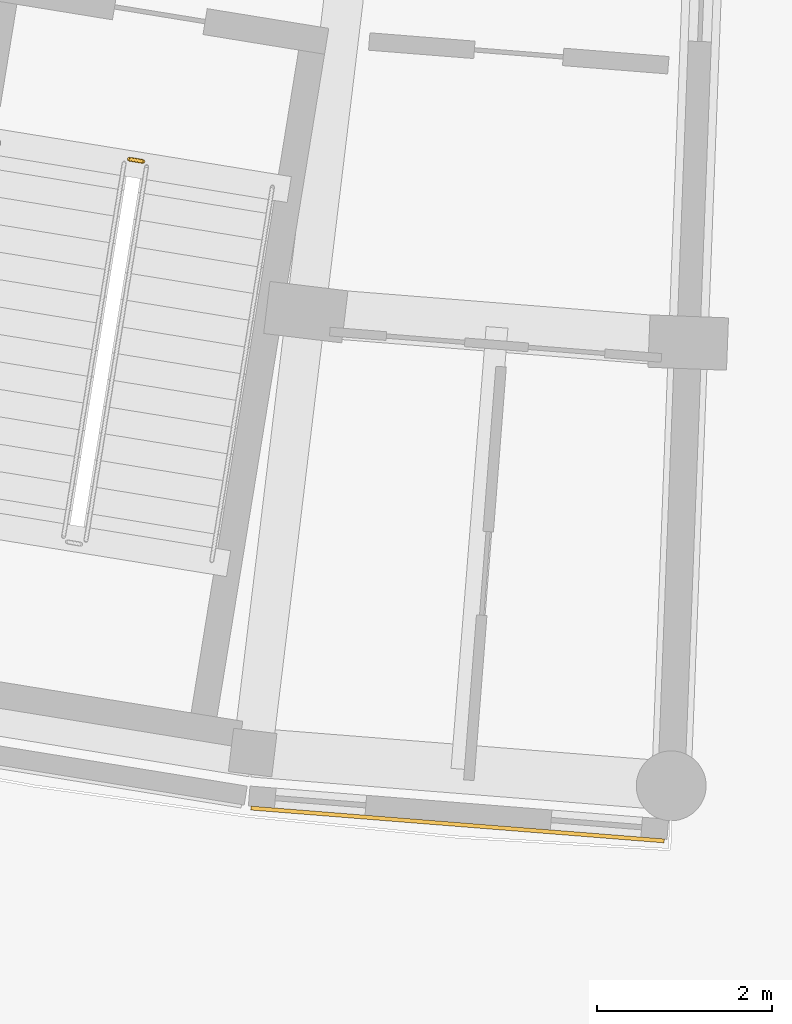
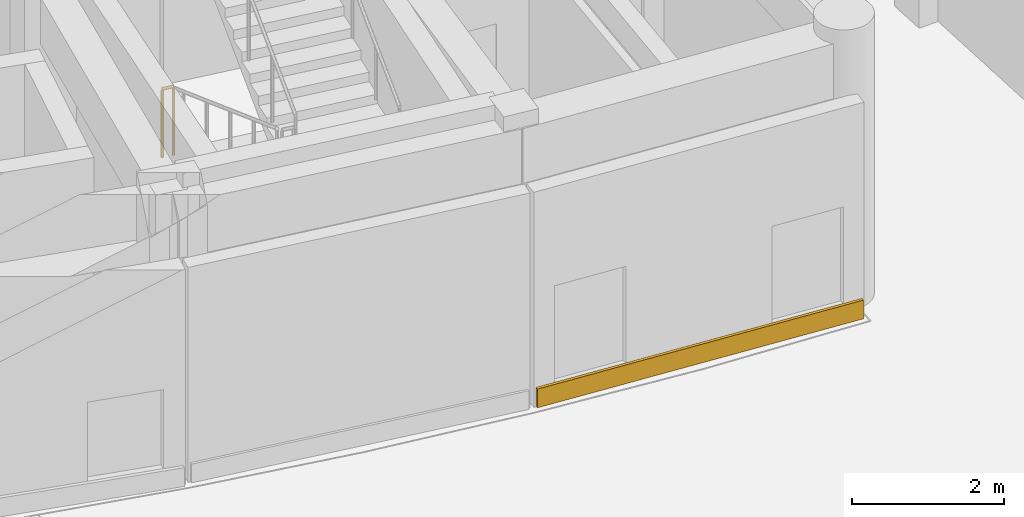
# One storey, part 51 of 61: 1 covering, 1 railing.
"""IFC4 building model written with IfcOpenShell, lengths in metres."""

from ifc_helpers import new_model, si_unit, direction, frame, origin, origin_2d, place, context, subcontext, project, spatial, rectangle, circle, extrude, material, layer, layer_set, type_object, element, save


model = new_model("IFC4")

# Units and contexts
model_context = context("Model", 3, precision=1e-05, world=origin(), true_north=direction((0.0, 1.0)))
body_context = subcontext(model_context, "Body", "Model", "MODEL_VIEW")
ifc_project = project(units=[si_unit("LENGTHUNIT", "METRE"), si_unit("AREAUNIT", "SQUARE_METRE"), si_unit("VOLUMEUNIT", "CUBIC_METRE"), si_unit("PLANEANGLEUNIT", "RADIAN"), si_unit("MASSUNIT", "GRAM", prefix="KILO")], contexts=[model_context])

# Site, building, storey
site_placement = place(None, origin())
site = spatial("IfcSite", under=ifc_project, at=site_placement, CompositionType="ELEMENT")
building_placement = place(site_placement, origin())
building = spatial("IfcBuilding", under=site, at=building_placement, Name="Zimvara Arc Housing Community", CompositionType="ELEMENT")
storey_placement = place(building_placement, origin())
storey = spatial("IfcBuildingStorey", under=building, at=storey_placement, Name="L00", CompositionType="ELEMENT", Elevation=0.0)

# Covering
ifc_material_1 = material(Name="Pale-Gold Anodised Aluminium Cladding", Category="aluminium")
ifc_layer = layer(ifc_material_1, 0.044921875)
ifc_layer_set = layer_set([ifc_layer], Name="Pale-Gold Anodised Aluminium Cladding")
covering_type = type_object("IfcCoveringType", Name="CLD-GOLD-02", PredefinedType="CLADDING", material=ifc_layer_set)
covering_placement = place(storey_placement, frame((121.27294921875, 50.58056640625, 0.009765625), z_axis=(0.0, 0.0, 1.0), x_axis=(0.996862316013, -0.079155056145, 0.0)))
element("IfcCovering", 1, at=covering_placement, inside=storey, type_object=covering_type, Name="cld:blkC:L00:out:b9", PredefinedType="CLADDING", context=body_context, shape_type="SweptSolid", body=[
    extrude(rectangle(XDim=4.748779296875, YDim=0.044921875, at=origin_2d()), origin(), (0.0, 0.0, 1.0), 0.300048828125),
])

# Railing
ifc_material_2 = material(Name="Anodised Aluminium AW-6063", Category="aluminium")
railing_type = type_object("IfcRailingType", Name="RLG-BAL-1120", PredefinedType="BALUSTRADE", material=ifc_material_2)
railing_placement = place(storey_placement, frame((117.51318359375, 58.19921875, 0.0)))
element("IfcRailing", 2, at=railing_placement, inside=storey, type_object=railing_type, Name="L00 ST-C2 stair guard 4", PredefinedType="BALUSTRADE", context=body_context, shape_type="SweptSolid", body=[
    extrude(circle(Radius=0.02392578125, at=origin_2d()), frame((0.0, 0.0, 1.09619140625), z_axis=(0.987085924886, -0.160191687964, 0.0), x_axis=(0.160191687964, 0.987085924886, 0.0)), (0.0, 0.0, 1.0), 0.159912109375),
    extrude(circle(Radius=0.02099609375, at=origin_2d()), origin(), (0.0, 0.0, 1.0), 1.072021484375),
    extrude(circle(Radius=0.02099609375, at=origin_2d()), frame((0.157958984375, -0.025634765625, 0.0)), (0.0, 0.0, 1.0), 1.072021484375),
])

save(model, "model.ifc")
